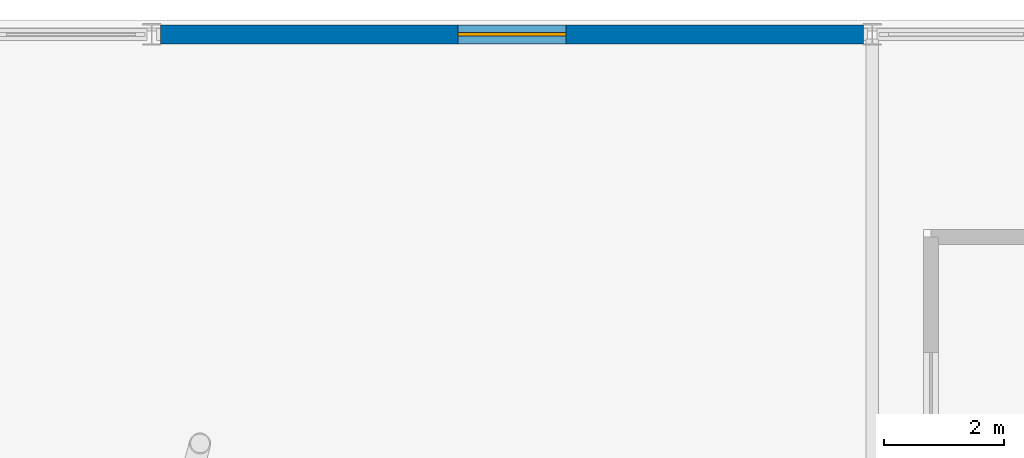
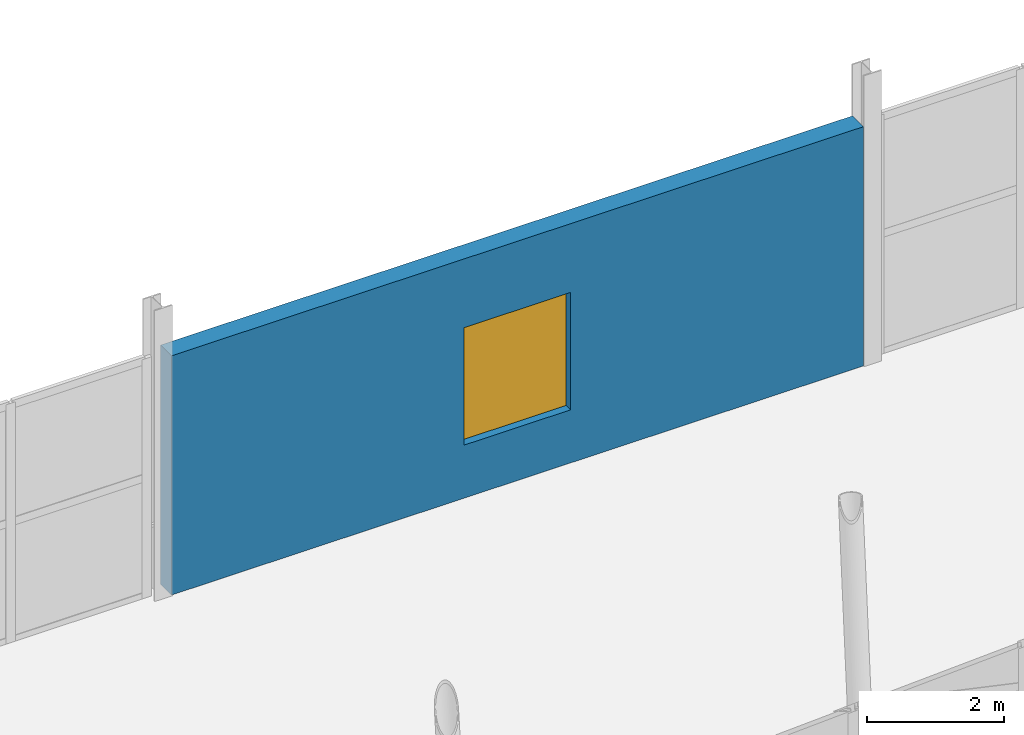
# One storey, part 128 of 168: 1 wall, 1 window, 1 opening.
"""IFC4 building model written with IfcOpenShell, lengths in metres."""

import ifcopenshell
import ifcopenshell.guid

model = None  # the IFC model being written
_history = None  # IfcOwnerHistory: only IFC2X3 demands one
_inside = {}  # id of a spatial element -> (the spatial element, [elements in it])
_under = {}  # id of a project, library or spatial element -> (it, [spatial elements below it])
_declared = {}  # id of a project -> (the project, [libraries it declares])
_typed = {}  # id of a type object -> (the type object, [elements of that type])
_made_of = {}  # id of a material, layer set ... -> (it, [elements and type objects made of it])


def new_model(schema):
    """Start an empty IFC model of exactly this schema.

    Asked for "IFC4X3", IfcOpenShell would pick the latest addendum, in which some entities
    have other attributes; the version numbers below select the first issue.
    IFC2X3 requires an IfcOwnerHistory on every rooted entity: one is made here for all.
    """
    global model, _history
    if schema == "IFC4X3":
        model = ifcopenshell.file(schema_version=(4, 3, 0, 0))
    else:
        model = ifcopenshell.file(schema=schema)
    _inside.clear()
    _under.clear()
    _declared.clear()
    _typed.clear()
    _made_of.clear()
    _history = None
    if model.schema == "IFC2X3":
        org = make("IfcOrganization", Name="unknown")
        user = make(
            "IfcPersonAndOrganization",
            ThePerson=make("IfcPerson", FamilyName="unknown"),
            TheOrganization=org,
        )
        app = make(
            "IfcApplication",
            ApplicationDeveloper=org,
            Version="unknown",
            ApplicationFullName="unknown",
            ApplicationIdentifier="unknown",
        )
        _history = make(
            "IfcOwnerHistory",
            OwningUser=user,
            OwningApplication=app,
            ChangeAction="ADDED",
            CreationDate=0,
        )
    return model


def make(cls, **values):
    """One entity of the class cls with the attributes given. An attribute that is None is left unset."""
    return model.create_entity(
        cls, **{name: value for name, value in values.items() if value is not None}
    )


def rooted(cls, **values):
    """An entity with a GlobalId (a new one), such as an element, a storey or a relation."""
    return make(cls, GlobalId=ifcopenshell.guid.new(), OwnerHistory=_history, **values)


def si_unit(unit_type, name, prefix=None):
    """IfcSIUnit, for example si_unit("LENGTHUNIT", "METRE", prefix="MILLI")."""
    return make("IfcSIUnit", UnitType=unit_type, Prefix=prefix, Name=name)


def assignment(units):
    """IfcUnitAssignment: the units of a project."""
    return None if units is None else make("IfcUnitAssignment", Units=units)


def point(xyz):
    """IfcCartesianPoint."""
    return None if xyz is None else make("IfcCartesianPoint", Coordinates=xyz)


def direction(xyz):
    """IfcDirection."""
    return None if xyz is None else make("IfcDirection", DirectionRatios=xyz)


def frame(location, z_axis=None, x_axis=None):
    """IfcAxis2Placement3D, a coordinate frame: its origin and axes. An axis left out is left unset."""
    return make(
        "IfcAxis2Placement3D",
        Location=point(location),
        Axis=direction(z_axis),
        RefDirection=direction(x_axis),
    )


def frame_2d(location, x_axis=None):
    """IfcAxis2Placement2D, a coordinate frame in the plane: its origin and x axis."""
    return make(
        "IfcAxis2Placement2D", Location=point(location), RefDirection=direction(x_axis)
    )


def origin():
    """The frame at (0, 0, 0) with its axes left unset."""
    return frame((0.0, 0.0, 0.0))


def place(relative_to, where):
    """IfcLocalPlacement: puts the frame where relative to a parent placement (None: the world)."""
    return make(
        "IfcLocalPlacement", PlacementRelTo=relative_to, RelativePlacement=where
    )


def context(
    kind, dimensions, precision=None, world=None, true_north=None, identifier=None
):
    """IfcGeometricRepresentationContext, for example the 3D "Model" context."""
    return make(
        "IfcGeometricRepresentationContext",
        ContextIdentifier=identifier,
        ContextType=kind,
        CoordinateSpaceDimension=dimensions,
        Precision=precision,
        WorldCoordinateSystem=world,
        TrueNorth=true_north,
    )


def subcontext(parent, identifier, kind, view, scale=None):
    """IfcGeometricRepresentationSubContext, for example "Body" below "Model"."""
    return make(
        "IfcGeometricRepresentationSubContext",
        ContextIdentifier=identifier,
        ContextType=kind,
        ParentContext=parent,
        TargetScale=scale,
        TargetView=view,
    )


def project(units=None, contexts=None):
    """IfcProject with its units and contexts."""
    return rooted(
        "IfcProject",
        Name="project",
        RepresentationContexts=contexts,
        UnitsInContext=assignment(units),
    )


def spatial(cls, under=None, at=None, **own):
    """A site, building, storey or space (cls), placed at a placement, below another one or the project."""
    s = rooted(cls, ObjectPlacement=at, **own)
    if under is not None:
        _under.setdefault(under.id(), (under, []))[1].append(s)
    return s


def profile(cls, at=None, kind="AREA", **sizes):
    """A parametric profile (cls). Its sizes go by their IFC names, for example OverallWidth=200.0."""
    return make(cls, ProfileType=kind, Position=at, **sizes)


def rectangle(**sizes):
    """IfcRectangleProfileDef."""
    return profile("IfcRectangleProfileDef", **sizes)


def extrude(swept, where, along, depth):
    """IfcExtrudedAreaSolid: the profile swept, set in the frame where, extruded along a direction by depth."""
    return make(
        "IfcExtrudedAreaSolid",
        SweptArea=swept,
        Position=where,
        ExtrudedDirection=direction(along),
        Depth=depth,
    )


def shape(context_of_items, identifier, shape_type, items):
    """IfcShapeRepresentation: the items that make up one representation, for example the "Body"."""
    return make(
        "IfcShapeRepresentation",
        ContextOfItems=context_of_items,
        RepresentationIdentifier=identifier,
        RepresentationType=shape_type,
        Items=items,
    )


def material(Name=None, Category=None):
    """IfcMaterial."""
    return make("IfcMaterial", Name=Name, Category=Category)


def layer(
    of_material, thickness, ventilated=None, Name=None, Category=None, Priority=None
):
    """IfcMaterialLayer: one layer of a wall or slab, of a material (None: an air gap)."""
    return make(
        "IfcMaterialLayer",
        Material=of_material,
        LayerThickness=thickness,
        IsVentilated=ventilated,
        Name=Name,
        Category=Category,
        Priority=Priority,
    )


def layer_set(layers, Name=None):
    """IfcMaterialLayerSet."""
    return make("IfcMaterialLayerSet", MaterialLayers=layers, LayerSetName=Name)


def made_of(thing, what):
    """Note that an element or type object is made of a material, layer set ...; save() writes the relation."""
    if what is not None:
        _made_of.setdefault(what.id(), (what, []))[1].append(thing)
    return thing


def type_object(cls, material=None, **own):
    """A type object (cls), such as IfcWallType, which elements share."""
    return made_of(rooted(cls, **own), material)


def element(
    cls,
    number,
    at=None,
    inside=None,
    cuts=None,
    type_object=None,
    material=None,
    context=None,
    identifier="Body",
    shape_type=None,
    held_by="IfcProductDefinitionShape",
    body=None,
    shapes=None,
    **own,
):
    """One element of the class cls, such as IfcWall. Its Tag is "e" and its number.

    at: its placement. inside: the storey or other place that contains it. cuts: it is an
    opening in that element (IfcRelVoidsElement). A single representation is given by context,
    identifier, shape_type and body (its items); several are given by shapes. held_by: the class
    of the entity that holds the representations. save() writes the other relations.
    """
    e = rooted(cls, Tag="e%d" % number, ObjectPlacement=at, **own)
    if body is not None:
        shapes = [shape(context, identifier, shape_type, body)]
    if shapes is not None:
        e.Representation = make(held_by, Representations=shapes)
    if inside is not None:
        _inside.setdefault(inside.id(), (inside, []))[1].append(e)
    if cuts is not None:
        rooted(
            "IfcRelVoidsElement", RelatingBuildingElement=cuts, RelatedOpeningElement=e
        )
    if type_object is not None:
        _typed.setdefault(type_object.id(), (type_object, []))[1].append(e)
    return made_of(e, material)


def fill(opening, filler):
    """IfcRelFillsElement: the door or window that sits in an opening."""
    return rooted(
        "IfcRelFillsElement",
        RelatingOpeningElement=opening,
        RelatedBuildingElement=filler,
    )


def aggregate(whole, parts):
    """IfcRelAggregates: a whole, such as a stair, and the parts it consists of."""
    return rooted("IfcRelAggregates", RelatingObject=whole, RelatedObjects=parts)


def save(model, path):
    """Write the relations noted so far, then the file.

    IfcRelAggregates (storeys below a building ...), IfcRelContainedInSpatialStructure (elements
    in a storey), IfcRelDefinesByType, IfcRelAssociatesMaterial and IfcRelDeclares: one each for
    every whole, place, type object, material and project.
    """
    for whole, parts in _under.values():
        aggregate(whole, parts)
    for where, things in _inside.values():
        rooted(
            "IfcRelContainedInSpatialStructure",
            RelatedElements=things,
            RelatingStructure=where,
        )
    for kind, things in _typed.values():
        rooted("IfcRelDefinesByType", RelatedObjects=things, RelatingType=kind)
    for what, things in _made_of.values():
        rooted("IfcRelAssociatesMaterial", RelatedObjects=things, RelatingMaterial=what)
    for by, libraries in _declared.values():
        rooted("IfcRelDeclares", RelatingContext=by, RelatedDefinitions=libraries)
    model.write(path)


model = new_model("IFC4")

# Units and contexts
model_context = context("Model", 3, precision=1e-05, world=origin(), true_north=direction((0.0, 1.0)))
body_context = subcontext(model_context, "Body", "Model", "MODEL_VIEW")
ifc_project = project(units=[si_unit("LENGTHUNIT", "METRE"), si_unit("AREAUNIT", "SQUARE_METRE"), si_unit("VOLUMEUNIT", "CUBIC_METRE"), si_unit("PLANEANGLEUNIT", "RADIAN"), si_unit("MASSUNIT", "GRAM", prefix="KILO")], contexts=[model_context])

# Site, building, storey
site_placement = place(None, origin())
site = spatial("IfcSite", under=ifc_project, at=site_placement, CompositionType="ELEMENT")
building_placement = place(site_placement, origin())
building = spatial("IfcBuilding", under=site, at=building_placement, Name="Zlatoyarsky Gate Stadium", CompositionType="ELEMENT")
storey_placement = place(building_placement, frame((0.0, 0.0, 15.60009765625)))
storey = spatial("IfcBuildingStorey", under=building, at=storey_placement, Name="L03", CompositionType="ELEMENT", Elevation=15.60009765625)

# Wall, opening, window
ifc_material_1 = material(Name="Precast concrete C40/50 architectural panel", Category="concrete")
ifc_layer = layer(ifc_material_1, 0.320068359375)
ifc_layer_set = layer_set([ifc_layer], Name="Precast concrete C40/50 architectural panel")
wall_type = type_object("IfcWallType", Name="PRECAST TERRACOTTA FACADE WALL 320", PredefinedType="STANDARD", material=ifc_layer_set)
wall_placement = place(storey_placement, frame((135.64697265625, 160.0, 0.0), z_axis=(0.0, 0.0, 1.0), x_axis=(1.0, 0.0, 0.0)))
wall = element("IfcWall", 1, at=wall_placement, inside=storey, type_object=wall_type, Name="V2_NORTH L03 N exterior wall", PredefinedType="STANDARD", context=body_context, shape_type="SweptSolid", body=[
    extrude(rectangle(XDim=11.7060546875, YDim=0.320068359375, at=frame_2d((5.85302734375, 0.0))), origin(), (0.0, 0.0, 1.0), 4.27978515625),
])
opening_placement = place(wall_placement, frame((4.952880859375, 0.0, 0.949951171875)))
opening = element("IfcOpeningElement", 2, at=opening_placement, cuts=wall, Name="Opening WN-12", PredefinedType="OPENING", context=body_context, shape_type="SweptSolid", body=[
    extrude(rectangle(XDim=1.800048828125, YDim=2.10009765625, at=frame_2d((0.89990234375, 1.050048828125))), frame((0.0, 0.169921875, 0.0), z_axis=(0.0, -1.0, 0.0), x_axis=(1.0, 0.0, 0.0)), (0.0, 0.0, 1.0), 0.340087890625),
])
ifc_material_2 = material(Name="Triple-glazed thermally broken aluminium window", Category="aluminium")
window_type = type_object("IfcWindowType", Name="TRIPLE GLAZED ALUMINIUM WINDOW 1800X2100", PartitioningType="SINGLE_PANEL", PredefinedType="WINDOW", material=ifc_material_2)
window_placement = place(opening_placement, origin())
window = element("IfcWindow", 3, at=window_placement, inside=storey, type_object=window_type, Name="Exterior window WIN-L03-012", OverallHeight=2.10009765625, OverallWidth=1.800048828125, PartitioningType="SINGLE_PANEL", PredefinedType="WINDOW", context=body_context, shape_type="SweptSolid", body=[
    extrude(rectangle(XDim=1.800048828125, YDim=2.10009765625, at=frame_2d((0.89990234375, 1.050048828125))), frame((0.0, 0.030029296875, 0.0), z_axis=(0.0, -1.0, 0.0), x_axis=(1.0, 0.0, 0.0)), (0.0, 0.0, 1.0), 0.06005859375),
])
fill(opening, window)

save(model, "model.ifc")
